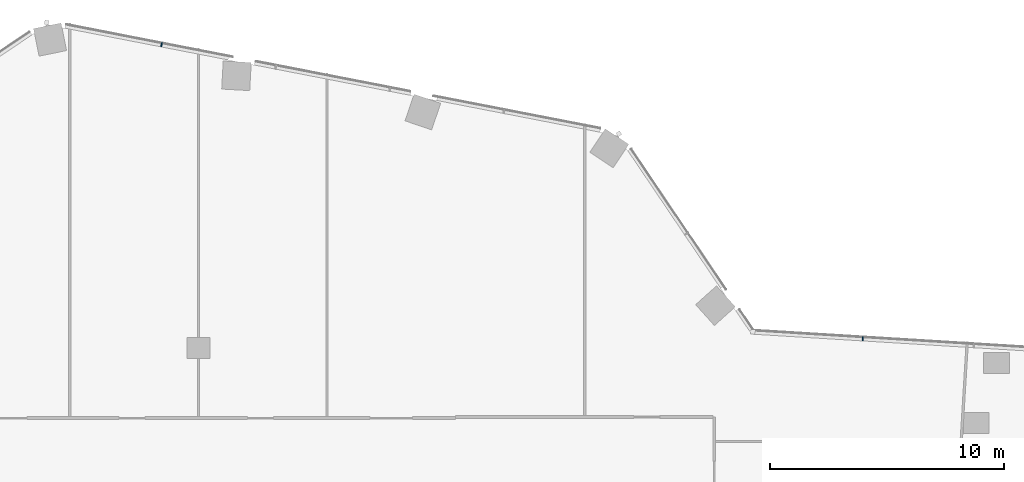
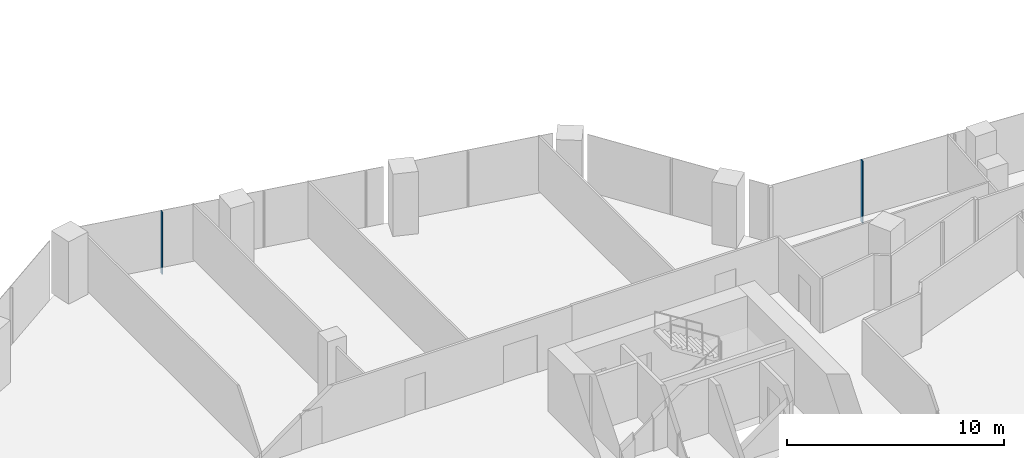
# One storey, part 12 of 32: 2 members, 2 elements without a shape of their own.
"""IFC4 building model written with IfcOpenShell, lengths in metres."""

from ifc_helpers import new_model, si_unit, direction, frame, origin, origin_2d, place, context, subcontext, project, spatial, rectangle, extrude, material, material_profile, profile_set, type_object, element, aggregate, save


model = new_model("IFC4")

# Units and contexts
model_context = context("Model", 3, precision=1e-05, world=origin(), true_north=direction((0.0, 1.0)))
body_context = subcontext(model_context, "Body", "Model", "MODEL_VIEW")
ifc_project = project(units=[si_unit("LENGTHUNIT", "METRE"), si_unit("AREAUNIT", "SQUARE_METRE"), si_unit("VOLUMEUNIT", "CUBIC_METRE"), si_unit("PLANEANGLEUNIT", "RADIAN"), si_unit("MASSUNIT", "GRAM", prefix="KILO")], contexts=[model_context])

# Site, building, storey
site_placement = place(None, origin())
site = spatial("IfcSite", under=ifc_project, at=site_placement, CompositionType="ELEMENT")
building_placement = place(site_placement, origin())
building = spatial("IfcBuilding", under=site, at=building_placement, Name="Orlundy Tower", CompositionType="ELEMENT")
storey_placement = place(building_placement, frame((0.0, 0.0, 152.60009765625)))
storey = spatial("IfcBuildingStorey", under=building, at=storey_placement, Name="L39", CompositionType="ELEMENT", Elevation=152.60009765625)

# Curtain wall, member
ifc_material_1 = material(Name="Aluminium bronze anodised", Category="aluminium")
curtain_wall_type = type_object("IfcCurtainWallType", Name="CW1 wall", PredefinedType="NOTDEFINED", material=ifc_material_1)
curtain_wall_1_placement = place(storey_placement, origin())
curtain_wall_1 = element("IfcCurtainWall", 1, at=curtain_wall_1_placement, inside=storey, type_object=curtain_wall_type, Name="CW1 run 016", PredefinedType="NOTDEFINED")
ifc_material_2 = material(Name="Aluminium bronze anodised", Category="aluminium")
ifc_material_profile = material_profile(ifc_material_2, rectangle(XDim=0.179931640625, YDim=0.050048828125, at=origin_2d()), Name="CW1 mullion 50x180")
ifc_profile_set = profile_set([ifc_material_profile], Name="Aluminium bronze anodised")
member_type = type_object("IfcMemberType", Name="CW1 mullion 50x180", PredefinedType="MULLION", material=ifc_profile_set)
member_1_placement = place(storey_placement, frame((-1.57763671875, 30.9599609375, -0.400146484375), z_axis=(0.0, 0.0, 1.0), x_axis=(0.19080503976, 0.981627952333, 0.0)))
member_1 = element("IfcMember", 2, at=member_1_placement, type_object=member_type, Name="CW1 mullion 45", PredefinedType="MULLION", context=body_context, shape_type="SweptSolid", body=[
    extrude(rectangle(XDim=0.179931640625, YDim=0.050048828125, at=origin_2d()), origin(), (0.0, 0.0, 1.0), 3.5),
])
aggregate(curtain_wall_1, [member_1])

curtain_wall_2_placement = place(storey_placement, origin())
curtain_wall_2 = element("IfcCurtainWall", 3, at=curtain_wall_2_placement, inside=storey, type_object=curtain_wall_type, Name="CW1 run 018", PredefinedType="NOTDEFINED")
member_2_placement = place(storey_placement, frame((28.39892578125, 18.390380859375, -0.400146484375), z_axis=(0.0, 0.0, 1.0), x_axis=(0.061053768107, 0.998134478615, 0.0)))
member_2 = element("IfcMember", 4, at=member_2_placement, type_object=member_type, Name="CW1 mullion 52", PredefinedType="MULLION", context=body_context, shape_type="SweptSolid", body=[
    extrude(rectangle(XDim=0.179931640625, YDim=0.050048828125, at=origin_2d()), origin(), (0.0, 0.0, 1.0), 3.5),
])
aggregate(curtain_wall_2, [member_2])

save(model, "model.ifc")
